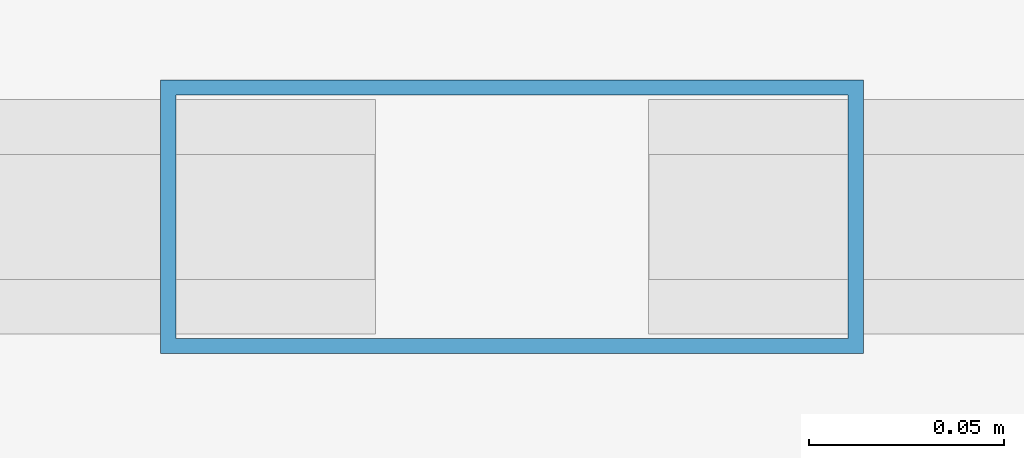
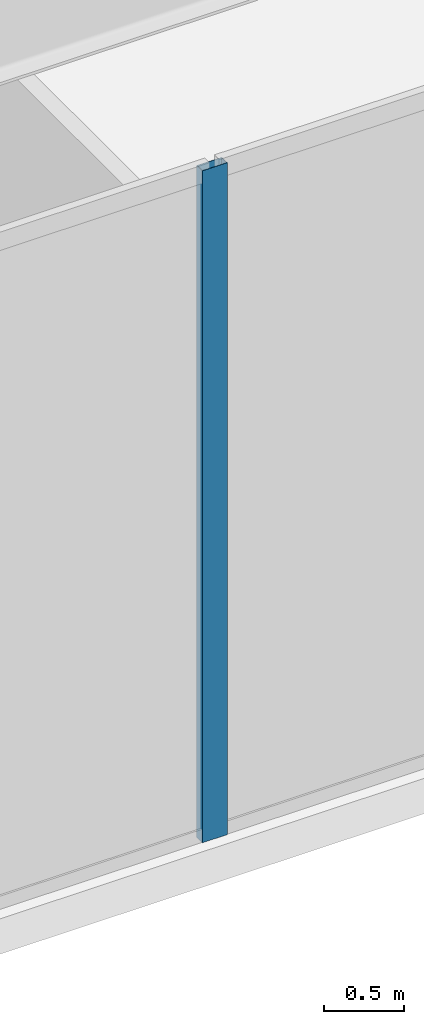
# One storey, part 12 of 29: 1 member, 1 element without a shape of its own.
"""IFC4 building model written with IfcOpenShell, lengths in metres."""

from ifc_helpers import new_model, si_unit, direction, frame, origin, origin_2d, place, context, subcontext, project, spatial, hollow_rectangle, extrude, material, layer, layer_set, material_profile, profile_set, type_object, element, aggregate, save


model = new_model("IFC4")

# Units and contexts
model_context = context("Model", 3, precision=1e-05, world=origin(), true_north=direction((0.0, 1.0)))
body_context = subcontext(model_context, "Body", "Model", "MODEL_VIEW")
ifc_project = project(units=[si_unit("LENGTHUNIT", "METRE"), si_unit("AREAUNIT", "SQUARE_METRE"), si_unit("VOLUMEUNIT", "CUBIC_METRE"), si_unit("PLANEANGLEUNIT", "RADIAN"), si_unit("MASSUNIT", "GRAM", prefix="KILO")], contexts=[model_context])

# Site, building, storey
site_placement = place(None, origin())
site = spatial("IfcSite", under=ifc_project, at=site_placement, CompositionType="ELEMENT")
building_placement = place(site_placement, origin())
building = spatial("IfcBuilding", under=site, at=building_placement, Name="Kravanh Interchange Tower", CompositionType="ELEMENT")
storey_placement = place(building_placement, frame((0.0, 0.0, 5.39990234375)))
storey = spatial("IfcBuildingStorey", under=building, at=storey_placement, Name="L01", CompositionType="ELEMENT", Elevation=5.39990234375)

# Curtain wall, member
ifc_material_1 = material(Name="Anodised Bronze Aluminium", Category="aluminium")
ifc_layer = layer(ifc_material_1, 0.179931640625)
ifc_layer_set = layer_set([ifc_layer], Name="Unitised Curtain Wall System CW-POD Podium Concourse")
curtain_wall_type = type_object("IfcCurtainWallType", Name="Unitised Curtain Wall System CW-POD Podium Concourse", PredefinedType="NOTDEFINED", material=ifc_layer_set)
curtain_wall_placement = place(storey_placement, origin())
curtain_wall = element("IfcCurtainWall", 1, at=curtain_wall_placement, inside=storey, type_object=curtain_wall_type, Name="L01 Unitised Curtain Wall CW-L01-04", PredefinedType="NOTDEFINED")
ifc_material_2 = material(Name="Anodised Bronze Aluminium", Category="aluminium")
ifc_material_profile = material_profile(ifc_material_2, hollow_rectangle(XDim=0.070068359375, YDim=0.179931640625, WallThickness=0.00390625, at=origin_2d()), Name="ALU70X180X4")
ifc_profile_set = profile_set([ifc_material_profile], Name="Anodised Bronze Aluminium")
member_type = type_object("IfcMemberType", Name="Curtain Wall Mullion ALU70X180X4 Bronze", PredefinedType="MULLION", material=ifc_profile_set)
member_placement = place(storey_placement, frame((34.357666015625, 0.1201171875, 0.0), z_axis=(0.0, 0.0, 1.0), x_axis=(0.0, -1.0, 0.0)))
member = element("IfcMember", 2, at=member_placement, type_object=member_type, Name="CW-POD mullion 8", PredefinedType="MULLION", context=body_context, shape_type="SweptSolid", body=[
    extrude(hollow_rectangle(XDim=0.070068359375, YDim=0.179931640625, WallThickness=0.00390625, at=origin_2d()), origin(), (0.0, 0.0, 1.0), 5.130126953125),
])
aggregate(curtain_wall, [member])

save(model, "model.ifc")
